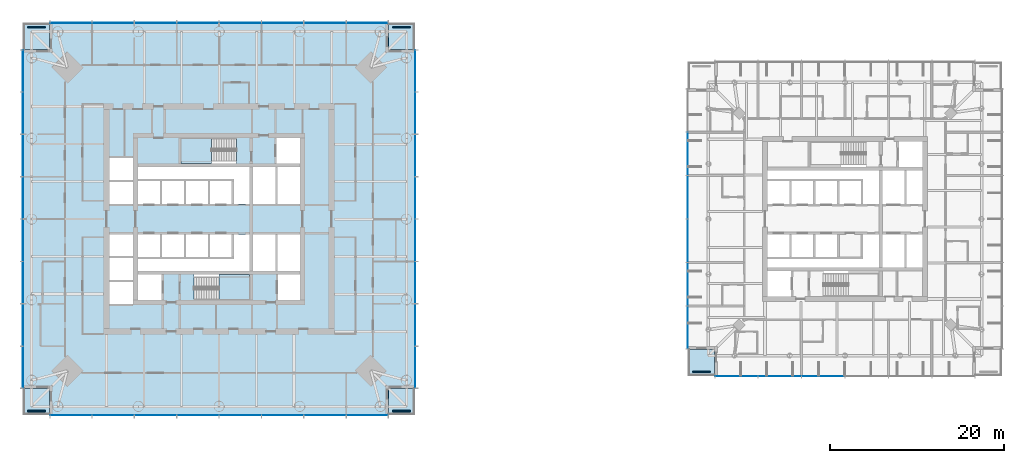
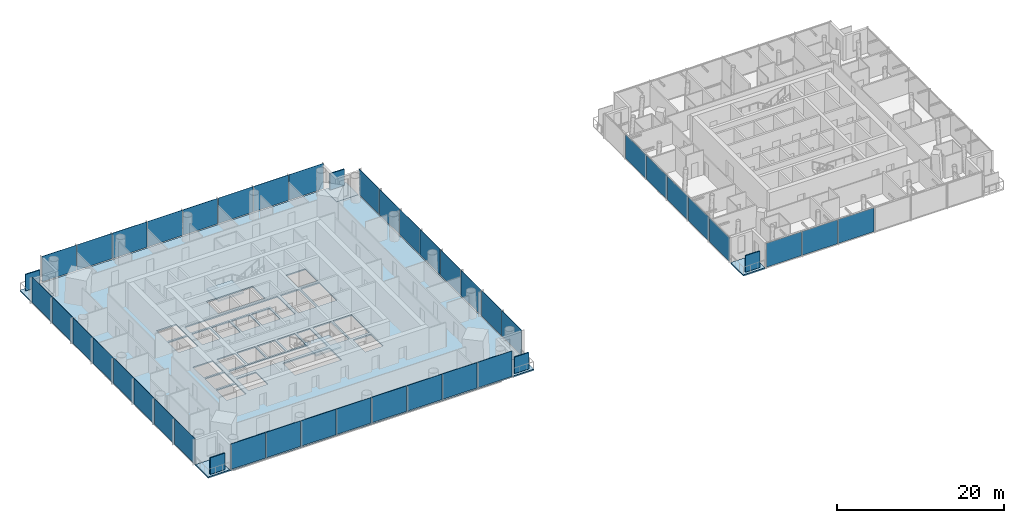
# One storey, part 6 of 18: 45 plates, 8 slabs, 8 elements without a shape of their own.
"""IFC4 building model written with IfcOpenShell, lengths in metres."""

from ifc_helpers import new_model, si_unit, direction, frame, origin, origin_2d, place, context, subcontext, project, spatial, polyline, rectangle, outline, extrude, material, layer, layer_set, type_object, element, aggregate, save


model = new_model("IFC4")

# Units and contexts
model_context = context("Model", 3, precision=1e-05, world=origin(), true_north=direction((0.0, 1.0)))
body_context = subcontext(model_context, "Body", "Model", "MODEL_VIEW")
ifc_project = project(units=[si_unit("LENGTHUNIT", "METRE"), si_unit("AREAUNIT", "SQUARE_METRE"), si_unit("VOLUMEUNIT", "CUBIC_METRE"), si_unit("PLANEANGLEUNIT", "RADIAN"), si_unit("MASSUNIT", "GRAM", prefix="KILO")], contexts=[model_context])

# Site, building, storey
site_placement = place(None, origin())
site = spatial("IfcSite", under=ifc_project, at=site_placement, CompositionType="ELEMENT")
building_placement = place(site_placement, origin())
building = spatial("IfcBuilding", under=site, at=building_placement, Name="Ostroluk Exchange", CompositionType="ELEMENT")
storey_placement = place(building_placement, frame((0.0, 0.0, 97.0)))
storey = spatial("IfcBuildingStorey", under=building, at=storey_placement, Name="L24", CompositionType="ELEMENT", Elevation=97.0)

# Curtain wall, plates
ifc_material_1 = material(Name="Laminated clear glass", Category="glass")
curtain_wall_type_1 = type_object("IfcCurtainWallType", Name="Hotel guest floor facade", PredefinedType="USERDEFINED", material=ifc_material_1)
curtain_wall_1_placement = place(storey_placement, origin())
curtain_wall_1 = element("IfcCurtainWall", 1, at=curtain_wall_1_placement, inside=storey, type_object=curtain_wall_type_1, Name="Hotel tower south facade L24", ObjectType="UNITISED CURTAIN WALL", PredefinedType="USERDEFINED")
ifc_material_2 = material(Name="Laminated clear glass", Category="glass")
ifc_layer_1 = layer(ifc_material_2, 0.0400390625)
ifc_layer_set_1 = layer_set([ifc_layer_1], Name="Acoustic laminated glazing 40")
plate_type_1 = type_object("IfcPlateType", Name="Acoustic laminated glazing 40", PredefinedType="CURTAIN_PANEL", material=ifc_layer_set_1)
plate_1_placement = place(storey_placement, frame((104.52001953125, 27.925048828125, 0.080078125), z_axis=(0.0, 0.0, 1.0), x_axis=(1.0, 0.0, 0.0)))
plate_1 = element("IfcPlate", 2, at=plate_1_placement, type_object=plate_type_1, Name="CW-H1 panel 1.1", PredefinedType="CURTAIN_PANEL", context=body_context, shape_type="SweptSolid", body=[
    extrude(rectangle(XDim=4.8798828125, YDim=0.0400390625, at=origin_2d()), origin(), (0.0, 0.0, 1.0), 3.489990234375),
])
plate_2_placement = place(storey_placement, frame((109.5, 27.925048828125, 0.080078125), z_axis=(0.0, 0.0, 1.0), x_axis=(1.0, 0.0, 0.0)))
plate_2 = element("IfcPlate", 3, at=plate_2_placement, type_object=plate_type_1, Name="CW-H1 panel 2.1", PredefinedType="CURTAIN_PANEL", context=body_context, shape_type="SweptSolid", body=[
    extrude(rectangle(XDim=4.919921875, YDim=0.0400390625, at=origin_2d()), origin(), (0.0, 0.0, 1.0), 3.489990234375),
])
plate_3_placement = place(storey_placement, frame((114.5, 27.925048828125, 0.080078125), z_axis=(0.0, 0.0, 1.0), x_axis=(1.0, 0.0, 0.0)))
plate_3 = element("IfcPlate", 4, at=plate_3_placement, type_object=plate_type_1, Name="CW-H1 panel 3.1", PredefinedType="CURTAIN_PANEL", context=body_context, shape_type="SweptSolid", body=[
    extrude(rectangle(XDim=4.919921875, YDim=0.0400390625, at=origin_2d()), origin(), (0.0, 0.0, 1.0), 3.489990234375),
])
aggregate(curtain_wall_1, [plate_1, plate_2, plate_3])

curtain_wall_2_placement = place(storey_placement, origin())
curtain_wall_2 = element("IfcCurtainWall", 5, at=curtain_wall_2_placement, inside=storey, type_object=curtain_wall_type_1, Name="Hotel tower west facade L24", ObjectType="UNITISED CURTAIN WALL", PredefinedType="USERDEFINED")
plate_4_placement = place(storey_placement, frame((98.925048828125, 53.5, 0.080078125), z_axis=(0.0, 0.0, 1.0), x_axis=(0.0, -1.0, 0.0)))
plate_4 = element("IfcPlate", 6, at=plate_4_placement, type_object=plate_type_1, Name="CW-H1 panel 2.1", PredefinedType="CURTAIN_PANEL", context=body_context, shape_type="SweptSolid", body=[
    extrude(rectangle(XDim=4.919921875, YDim=0.0400390625, at=origin_2d()), origin(), (0.0, 0.0, 1.0), 3.489990234375),
])
plate_5_placement = place(storey_placement, frame((98.925048828125, 48.5, 0.080078125), z_axis=(0.0, 0.0, 1.0), x_axis=(0.0, -1.0, 0.0)))
plate_5 = element("IfcPlate", 7, at=plate_5_placement, type_object=plate_type_1, Name="CW-H1 panel 3.1", PredefinedType="CURTAIN_PANEL", context=body_context, shape_type="SweptSolid", body=[
    extrude(rectangle(XDim=4.919921875, YDim=0.0400390625, at=origin_2d()), origin(), (0.0, 0.0, 1.0), 3.489990234375),
])
plate_6_placement = place(storey_placement, frame((98.925048828125, 43.5, 0.080078125), z_axis=(0.0, 0.0, 1.0), x_axis=(0.0, -1.0, 0.0)))
plate_6 = element("IfcPlate", 8, at=plate_6_placement, type_object=plate_type_1, Name="CW-H1 panel 4.1", PredefinedType="CURTAIN_PANEL", context=body_context, shape_type="SweptSolid", body=[
    extrude(rectangle(XDim=4.919921875, YDim=0.0400390625, at=origin_2d()), origin(), (0.0, 0.0, 1.0), 3.489990234375),
])
plate_7_placement = place(storey_placement, frame((98.925048828125, 38.5, 0.080078125), z_axis=(0.0, 0.0, 1.0), x_axis=(0.0, -1.0, 0.0)))
plate_7 = element("IfcPlate", 9, at=plate_7_placement, type_object=plate_type_1, Name="CW-H1 panel 5.1", PredefinedType="CURTAIN_PANEL", context=body_context, shape_type="SweptSolid", body=[
    extrude(rectangle(XDim=4.919921875, YDim=0.0400390625, at=origin_2d()), origin(), (0.0, 0.0, 1.0), 3.489990234375),
])
plate_8_placement = place(storey_placement, frame((98.925048828125, 33.52001953125, 0.080078125), z_axis=(0.0, 0.0, 1.0), x_axis=(0.0, -1.0, 0.0)))
plate_8 = element("IfcPlate", 10, at=plate_8_placement, type_object=plate_type_1, Name="CW-H1 panel 6.1", PredefinedType="CURTAIN_PANEL", context=body_context, shape_type="SweptSolid", body=[
    extrude(rectangle(XDim=4.8798828125, YDim=0.0400390625, at=origin_2d()), origin(), (0.0, 0.0, 1.0), 3.489990234375),
])
aggregate(curtain_wall_2, [plate_4, plate_5, plate_6, plate_7, plate_8])

# Slabs
ifc_material_3 = material(Name="Concrete C35/45", Category="concrete")
ifc_layer_2 = layer(ifc_material_3, 0.179931640625)
ifc_layer_set_2 = layer_set([ifc_layer_2], Name="Balcony slab 180")
slab_type_1 = type_object("IfcSlabType", Name="Balcony slab 180", PredefinedType="USERDEFINED", material=ifc_layer_set_2)
slab_1_placement = place(storey_placement, frame((0.0, 0.0, -0.179931640625)))
element("IfcSlab", 11, at=slab_1_placement, inside=storey, type_object=slab_type_1, Name="Office tower SE corner balcony L24", ObjectType="BALCONY", PredefinedType="USERDEFINED", context=body_context, shape_type="SweptSolid", body=[
    extrude(outline(polyline([(64.5, 23.5), (67.5, 23.5), (67.5, 26.5), (64.5, 26.5), (64.5, 23.5)])), origin(), (0.0, 0.0, 1.0), 0.179931640625),
])
slab_2_placement = place(storey_placement, frame((0.0, 0.0, -0.179931640625)))
element("IfcSlab", 12, at=slab_2_placement, inside=storey, type_object=slab_type_1, Name="Office tower NE corner balcony L24", ObjectType="BALCONY", PredefinedType="USERDEFINED", context=body_context, shape_type="SweptSolid", body=[
    extrude(outline(polyline([(64.5, 65.5), (67.5, 65.5), (67.5, 68.5), (64.5, 68.5), (64.5, 65.5)])), origin(), (0.0, 0.0, 1.0), 0.179931640625),
])
slab_3_placement = place(storey_placement, frame((0.0, 0.0, -0.179931640625)))
element("IfcSlab", 13, at=slab_3_placement, inside=storey, type_object=slab_type_1, Name="Office tower NW corner balcony L24", ObjectType="BALCONY", PredefinedType="USERDEFINED", context=body_context, shape_type="SweptSolid", body=[
    extrude(outline(polyline([(22.5, 65.5), (25.5, 65.5), (25.5, 68.5), (22.5, 68.5), (22.5, 65.5)])), origin(), (0.0, 0.0, 1.0), 0.179931640625),
])
slab_4_placement = place(storey_placement, frame((0.0, 0.0, -0.179931640625)))
element("IfcSlab", 14, at=slab_4_placement, inside=storey, type_object=slab_type_1, Name="Office tower SW corner balcony L24", ObjectType="BALCONY", PredefinedType="USERDEFINED", context=body_context, shape_type="SweptSolid", body=[
    extrude(outline(polyline([(22.5, 23.5), (25.5, 23.5), (25.5, 26.5), (22.5, 26.5), (22.5, 23.5)])), origin(), (0.0, 0.0, 1.0), 0.179931640625),
])
ifc_material_4 = material(Name="Concrete C35/45", Category="concrete")
ifc_layer_3 = layer(ifc_material_4, 0.199951171875)
ifc_layer_set_3 = layer_set([ifc_layer_3], Name="Balcony slab 200")
slab_type_2 = type_object("IfcSlabType", Name="Balcony slab 200", PredefinedType="USERDEFINED", material=ifc_layer_set_3)
slab_5_placement = place(storey_placement, frame((0.0, 0.0, -0.199951171875)))
element("IfcSlab", 15, at=slab_5_placement, inside=storey, type_object=slab_type_2, Name="Hotel tower SW corner balcony L24", ObjectType="BALCONY", PredefinedType="USERDEFINED", context=body_context, shape_type="SweptSolid", body=[
    extrude(outline(polyline([(99.0, 28.0), (102.0, 28.0), (102.0, 31.0), (99.0, 31.0), (99.0, 28.0)])), origin(), (0.0, 0.0, 1.0), 0.199951171875),
])

# Plates
ifc_material_5 = material(Name="Steel S355 trellis with planting", Category="steel")
ifc_layer_4 = layer(ifc_material_5, 0.14990234375)
ifc_layer_set_4 = layer_set([ifc_layer_4], Name="Planted screen 150")
plate_type_2 = type_object("IfcPlateType", Name="Planted screen 150", PredefinedType="USERDEFINED", material=ifc_layer_set_4)
for number, where, z_axis, x_axis, name in (
    (16, (66.0, 23.925048828125, 0.0), (0.0, 0.0, 1.0), (1.0, 0.0, 0.0), "Office tower SE planted screen L24"),
    (17, (66.0, 68.074951171875, 0.0), (0.0, 0.0, 1.0), (1.0, 0.0, 0.0), "Office tower NE planted screen L24"),
    (18, (24.0, 68.074951171875, 0.0), (0.0, 0.0, 1.0), (1.0, 0.0, 0.0), "Office tower NW planted screen L24"),
    (19, (24.0, 23.925048828125, 0.0), (0.0, 0.0, 1.0), (1.0, 0.0, 0.0), "Office tower SW planted screen L24"),
    (20, (100.5, 28.425048828125, 0.0), (0.0, 0.0, 1.0), (1.0, 0.0, 0.0), "Hotel tower SW planted screen L24"),
):
    element("IfcPlate", number, at=place(storey_placement, frame(where, z_axis=z_axis, x_axis=x_axis)), inside=storey, type_object=plate_type_2, Name=name, ObjectType="PLANTED SCREEN", PredefinedType="USERDEFINED", context=body_context, shape_type="SweptSolid", body=[
        extrude(rectangle(XDim=2.0, YDim=0.14990234375, at=origin_2d()), origin(), (0.0, 0.0, 1.0), 2.39990234375),
    ])

# Stair, slab
ifc_material_6 = material(Name="Concrete C30/37", Category="concrete")
stair_type = type_object("IfcStairType", Name="Exit stair half turn 3800", PredefinedType="HALF_TURN_STAIR", material=ifc_material_6)
stair_1_placement = place(storey_placement, origin())
stair_1 = element("IfcStair", 21, at=stair_1_placement, inside=storey, type_object=stair_type, Name="Stair T1-S1 L24", PredefinedType="HALF_TURN_STAIR")
ifc_material_7 = material(Name="Concrete C30/37", Category="concrete")
ifc_layer_5 = layer(ifc_material_7, 0.199951171875)
ifc_layer_set_5 = layer_set([ifc_layer_5], Name="Stair landing 200")
slab_type_3 = type_object("IfcSlabType", Name="Stair landing 200", PredefinedType="LANDING", material=ifc_layer_set_5)
slab_6_placement = place(storey_placement, frame((0.0, 0.0, 1.699951171875)))
slab_6 = element("IfcSlab", 22, at=slab_6_placement, type_object=slab_type_3, Name="T1-S1 landing 1", PredefinedType="LANDING", context=body_context, shape_type="SweptSolid", body=[
    extrude(outline(polyline([(45.0, 36.699951171875), (45.0, 39.60009765625), (48.530029296875, 39.60009765625), (48.530029296875, 36.699951171875), (45.0, 36.699951171875)])), origin(), (0.0, 0.0, 1.0), 0.199951171875),
])
aggregate(stair_1, [slab_6])

stair_2_placement = place(storey_placement, origin())
stair_2 = element("IfcStair", 23, at=stair_2_placement, inside=storey, type_object=stair_type, Name="Stair T1-S2 L24", PredefinedType="HALF_TURN_STAIR")
slab_7_placement = place(storey_placement, frame((0.0, 0.0, 1.699951171875)))
slab_7 = element("IfcSlab", 24, at=slab_7_placement, type_object=slab_type_3, Name="T1-S2 landing 1", PredefinedType="LANDING", context=body_context, shape_type="SweptSolid", body=[
    extrude(outline(polyline([(44.1298828125, 52.39990234375), (44.1298828125, 55.300048828125), (40.60009765625, 55.300048828125), (40.60009765625, 52.39990234375), (44.1298828125, 52.39990234375)])), origin(), (0.0, 0.0, 1.0), 0.199951171875),
])
aggregate(stair_2, [slab_7])

# Slab
ifc_material_8 = material(Name="Concrete C35/45", Category="concrete")
ifc_layer_6 = layer(ifc_material_8, 0.179931640625)
ifc_layer_set_6 = layer_set([ifc_layer_6], Name="Tower floor slab 180 composite")
slab_type_4 = type_object("IfcSlabType", Name="Tower floor slab 180 composite", PredefinedType="FLOOR", material=ifc_layer_set_6)
slab_8_placement = place(storey_placement, frame((0.0, 0.0, -0.179931640625)))
element("IfcSlab", 25, at=slab_8_placement, inside=storey, type_object=slab_type_4, Name="Office tower floor slab L24", PredefinedType="FLOOR", context=body_context, shape_type="SweptSolid", body=[
    extrude(outline(polyline([(25.5, 23.5), (64.5, 23.5), (64.5, 26.5), (67.5, 26.5), (67.5, 65.5), (64.5, 65.5), (64.5, 68.5), (25.5, 68.5), (25.5, 65.5), (22.5, 65.5), (22.5, 26.5), (25.5, 26.5), (25.5, 23.5)]), holes=[polyline([(35.699951171875, 36.699951171875), (38.39990234375, 36.699951171875), (38.39990234375, 39.60009765625), (35.699951171875, 39.60009765625), (35.699951171875, 36.699951171875)]), polyline([(42.110107421875, 36.699951171875), (48.530029296875, 36.699951171875), (48.530029296875, 39.60009765625), (42.110107421875, 39.60009765625), (42.110107421875, 36.699951171875)]), polyline([(51.800048828125, 36.699951171875), (54.300048828125, 36.699951171875), (54.300048828125, 39.60009765625), (51.800048828125, 39.60009765625), (51.800048828125, 36.699951171875)]), polyline([(40.60009765625, 52.39990234375), (47.02001953125, 52.39990234375), (47.02001953125, 55.300048828125), (40.60009765625, 55.300048828125), (40.60009765625, 52.39990234375)]), polyline([(51.60009765625, 52.39990234375), (54.300048828125, 52.39990234375), (54.300048828125, 55.300048828125), (51.60009765625, 55.300048828125), (51.60009765625, 52.39990234375)]), polyline([(35.699951171875, 47.75), (38.199951171875, 47.75), (38.199951171875, 50.35009765625), (35.699951171875, 50.35009765625), (35.699951171875, 47.75)]), polyline([(38.449951171875, 47.75), (40.949951171875, 47.75), (40.949951171875, 50.35009765625), (38.449951171875, 50.35009765625), (38.449951171875, 47.75)]), polyline([(41.199951171875, 47.75), (43.699951171875, 47.75), (43.699951171875, 50.35009765625), (41.199951171875, 50.35009765625), (41.199951171875, 47.75)]), polyline([(43.949951171875, 47.75), (46.449951171875, 47.75), (46.449951171875, 50.35009765625), (43.949951171875, 50.35009765625), (43.949951171875, 47.75)]), polyline([(35.699951171875, 41.64990234375), (38.199951171875, 41.64990234375), (38.199951171875, 44.25), (35.699951171875, 44.25), (35.699951171875, 41.64990234375)]), polyline([(38.449951171875, 41.64990234375), (40.949951171875, 41.64990234375), (40.949951171875, 44.25), (38.449951171875, 44.25), (38.449951171875, 41.64990234375)]), polyline([(41.199951171875, 41.64990234375), (43.699951171875, 41.64990234375), (43.699951171875, 44.25), (41.199951171875, 44.25), (41.199951171875, 41.64990234375)]), polyline([(43.949951171875, 41.64990234375), (46.449951171875, 41.64990234375), (46.449951171875, 44.25), (43.949951171875, 44.25), (43.949951171875, 41.64990234375)]), polyline([(48.929931640625, 47.75), (51.489990234375, 47.75), (51.489990234375, 52.0), (48.929931640625, 52.0), (48.929931640625, 47.75)]), polyline([(51.739990234375, 47.75), (54.300048828125, 47.75), (54.300048828125, 52.0), (51.739990234375, 52.0), (51.739990234375, 47.75)]), polyline([(48.929931640625, 40.0), (51.489990234375, 40.0), (51.489990234375, 44.25), (48.929931640625, 44.25), (48.929931640625, 40.0)]), polyline([(51.739990234375, 40.0), (54.300048828125, 40.0), (54.300048828125, 44.25), (51.739990234375, 44.25), (51.739990234375, 40.0)]), polyline([(48.530029296875, 52.0), (48.530029296875, 47.75), (46.699951171875, 47.75), (46.699951171875, 50.60009765625), (35.699951171875, 50.60009765625), (35.699951171875, 52.0), (48.530029296875, 52.0)]), polyline([(35.699951171875, 40.0), (35.699951171875, 41.39990234375), (46.699951171875, 41.39990234375), (46.699951171875, 44.25), (48.530029296875, 44.25), (48.530029296875, 40.0), (35.699951171875, 40.0)]), polyline([(32.39990234375, 36.25), (35.10009765625, 36.25), (35.10009765625, 38.75), (32.39990234375, 38.75), (32.39990234375, 36.25)]), polyline([(32.39990234375, 39.0), (35.10009765625, 39.0), (35.10009765625, 41.5), (32.39990234375, 41.5), (32.39990234375, 39.0)]), polyline([(32.39990234375, 41.75), (35.10009765625, 41.75), (35.10009765625, 44.25), (32.39990234375, 44.25), (32.39990234375, 41.75)]), polyline([(32.39990234375, 47.75), (35.10009765625, 47.75), (35.10009765625, 50.25), (32.39990234375, 50.25), (32.39990234375, 47.75)]), polyline([(32.39990234375, 50.5), (35.10009765625, 50.5), (35.10009765625, 53.0), (32.39990234375, 53.0), (32.39990234375, 50.5)])]), origin(), (0.0, 0.0, 1.0), 0.179931640625),
])

# Curtain wall, plates
ifc_material_9 = material(Name="Laminated clear glass", Category="glass")
curtain_wall_type_2 = type_object("IfcCurtainWallType", Name="Office tower facade", PredefinedType="USERDEFINED", material=ifc_material_9)
curtain_wall_3_placement = place(storey_placement, origin())
curtain_wall_3 = element("IfcCurtainWall", 26, at=curtain_wall_3_placement, inside=storey, type_object=curtain_wall_type_2, Name="Office tower south facade L24", ObjectType="UNITISED CURTAIN WALL", PredefinedType="USERDEFINED")
ifc_material_10 = material(Name="Laminated clear glass", Category="glass")
ifc_layer_7 = layer(ifc_material_10, 0.0439453125)
ifc_layer_set_7 = layer_set([ifc_layer_7], Name="Triple laminated clear glazing 44")
plate_type_3 = type_object("IfcPlateType", Name="Triple laminated clear glazing 44", PredefinedType="CURTAIN_PANEL", material=ifc_layer_set_7)
plate_9_placement = place(storey_placement, frame((27.95751953125, 23.425048828125, 0.080078125), z_axis=(0.0, 0.0, 1.0), x_axis=(1.0, 0.0, 0.0)))
plate_9 = element("IfcPlate", 27, at=plate_9_placement, type_object=plate_type_3, Name="CW-O1 panel 1.1", PredefinedType="CURTAIN_PANEL", context=body_context, shape_type="SweptSolid", body=[
    extrude(rectangle(XDim=4.7548828125, YDim=0.0439453125, at=origin_2d()), origin(), (0.0, 0.0, 1.0), 3.719970703125),
])
plate_10_placement = place(storey_placement, frame((32.8125, 23.425048828125, 0.080078125), z_axis=(0.0, 0.0, 1.0), x_axis=(1.0, 0.0, 0.0)))
plate_10 = element("IfcPlate", 28, at=plate_10_placement, type_object=plate_type_3, Name="CW-O1 panel 2.1", PredefinedType="CURTAIN_PANEL", context=body_context, shape_type="SweptSolid", body=[
    extrude(rectangle(XDim=4.794921875, YDim=0.0439453125, at=origin_2d()), origin(), (0.0, 0.0, 1.0), 3.719970703125),
])
plate_11_placement = place(storey_placement, frame((37.6875, 23.425048828125, 0.080078125), z_axis=(0.0, 0.0, 1.0), x_axis=(1.0, 0.0, 0.0)))
plate_11 = element("IfcPlate", 29, at=plate_11_placement, type_object=plate_type_3, Name="CW-O1 panel 3.1", PredefinedType="CURTAIN_PANEL", context=body_context, shape_type="SweptSolid", body=[
    extrude(rectangle(XDim=4.794921875, YDim=0.0439453125, at=origin_2d()), origin(), (0.0, 0.0, 1.0), 3.719970703125),
])
plate_12_placement = place(storey_placement, frame((42.5625, 23.425048828125, 0.080078125), z_axis=(0.0, 0.0, 1.0), x_axis=(1.0, 0.0, 0.0)))
plate_12 = element("IfcPlate", 30, at=plate_12_placement, type_object=plate_type_3, Name="CW-O1 panel 4.1", PredefinedType="CURTAIN_PANEL", context=body_context, shape_type="SweptSolid", body=[
    extrude(rectangle(XDim=4.794921875, YDim=0.0439453125, at=origin_2d()), origin(), (0.0, 0.0, 1.0), 3.719970703125),
])
plate_13_placement = place(storey_placement, frame((47.4375, 23.425048828125, 0.080078125), z_axis=(0.0, 0.0, 1.0), x_axis=(1.0, 0.0, 0.0)))
plate_13 = element("IfcPlate", 31, at=plate_13_placement, type_object=plate_type_3, Name="CW-O1 panel 5.1", PredefinedType="CURTAIN_PANEL", context=body_context, shape_type="SweptSolid", body=[
    extrude(rectangle(XDim=4.794921875, YDim=0.0439453125, at=origin_2d()), origin(), (0.0, 0.0, 1.0), 3.719970703125),
])
plate_14_placement = place(storey_placement, frame((52.3125, 23.425048828125, 0.080078125), z_axis=(0.0, 0.0, 1.0), x_axis=(1.0, 0.0, 0.0)))
plate_14 = element("IfcPlate", 32, at=plate_14_placement, type_object=plate_type_3, Name="CW-O1 panel 6.1", PredefinedType="CURTAIN_PANEL", context=body_context, shape_type="SweptSolid", body=[
    extrude(rectangle(XDim=4.794921875, YDim=0.0439453125, at=origin_2d()), origin(), (0.0, 0.0, 1.0), 3.719970703125),
])
plate_15_placement = place(storey_placement, frame((57.1875, 23.425048828125, 0.080078125), z_axis=(0.0, 0.0, 1.0), x_axis=(1.0, 0.0, 0.0)))
plate_15 = element("IfcPlate", 33, at=plate_15_placement, type_object=plate_type_3, Name="CW-O1 panel 7.1", PredefinedType="CURTAIN_PANEL", context=body_context, shape_type="SweptSolid", body=[
    extrude(rectangle(XDim=4.794921875, YDim=0.0439453125, at=origin_2d()), origin(), (0.0, 0.0, 1.0), 3.719970703125),
])
plate_16_placement = place(storey_placement, frame((62.04248046875, 23.425048828125, 0.080078125), z_axis=(0.0, 0.0, 1.0), x_axis=(1.0, 0.0, 0.0)))
plate_16 = element("IfcPlate", 34, at=plate_16_placement, type_object=plate_type_3, Name="CW-O1 panel 8.1", PredefinedType="CURTAIN_PANEL", context=body_context, shape_type="SweptSolid", body=[
    extrude(rectangle(XDim=4.7548828125, YDim=0.0439453125, at=origin_2d()), origin(), (0.0, 0.0, 1.0), 3.719970703125),
])
aggregate(curtain_wall_3, [plate_9, plate_10, plate_11, plate_12, plate_13, plate_14, plate_15, plate_16])

curtain_wall_4_placement = place(storey_placement, origin())
curtain_wall_4 = element("IfcCurtainWall", 35, at=curtain_wall_4_placement, inside=storey, type_object=curtain_wall_type_2, Name="Office tower east facade L24", ObjectType="UNITISED CURTAIN WALL", PredefinedType="USERDEFINED")
plate_17_placement = place(storey_placement, frame((67.574951171875, 28.95751953125, 0.080078125), z_axis=(0.0, 0.0, 1.0), x_axis=(0.0, 1.0, 0.0)))
plate_17 = element("IfcPlate", 36, at=plate_17_placement, type_object=plate_type_3, Name="CW-O1 panel 1.1", PredefinedType="CURTAIN_PANEL", context=body_context, shape_type="SweptSolid", body=[
    extrude(rectangle(XDim=4.7548828125, YDim=0.0439453125, at=origin_2d()), origin(), (0.0, 0.0, 1.0), 3.719970703125),
])
plate_18_placement = place(storey_placement, frame((67.574951171875, 33.8125, 0.080078125), z_axis=(0.0, 0.0, 1.0), x_axis=(0.0, 1.0, 0.0)))
plate_18 = element("IfcPlate", 37, at=plate_18_placement, type_object=plate_type_3, Name="CW-O1 panel 2.1", PredefinedType="CURTAIN_PANEL", context=body_context, shape_type="SweptSolid", body=[
    extrude(rectangle(XDim=4.794921875, YDim=0.0439453125, at=origin_2d()), origin(), (0.0, 0.0, 1.0), 3.719970703125),
])
plate_19_placement = place(storey_placement, frame((67.574951171875, 38.6875, 0.080078125), z_axis=(0.0, 0.0, 1.0), x_axis=(0.0, 1.0, 0.0)))
plate_19 = element("IfcPlate", 38, at=plate_19_placement, type_object=plate_type_3, Name="CW-O1 panel 3.1", PredefinedType="CURTAIN_PANEL", context=body_context, shape_type="SweptSolid", body=[
    extrude(rectangle(XDim=4.794921875, YDim=0.0439453125, at=origin_2d()), origin(), (0.0, 0.0, 1.0), 3.719970703125),
])
plate_20_placement = place(storey_placement, frame((67.574951171875, 43.5625, 0.080078125), z_axis=(0.0, 0.0, 1.0), x_axis=(0.0, 1.0, 0.0)))
plate_20 = element("IfcPlate", 39, at=plate_20_placement, type_object=plate_type_3, Name="CW-O1 panel 4.1", PredefinedType="CURTAIN_PANEL", context=body_context, shape_type="SweptSolid", body=[
    extrude(rectangle(XDim=4.794921875, YDim=0.0439453125, at=origin_2d()), origin(), (0.0, 0.0, 1.0), 3.719970703125),
])
plate_21_placement = place(storey_placement, frame((67.574951171875, 48.4375, 0.080078125), z_axis=(0.0, 0.0, 1.0), x_axis=(0.0, 1.0, 0.0)))
plate_21 = element("IfcPlate", 40, at=plate_21_placement, type_object=plate_type_3, Name="CW-O1 panel 5.1", PredefinedType="CURTAIN_PANEL", context=body_context, shape_type="SweptSolid", body=[
    extrude(rectangle(XDim=4.794921875, YDim=0.0439453125, at=origin_2d()), origin(), (0.0, 0.0, 1.0), 3.719970703125),
])
plate_22_placement = place(storey_placement, frame((67.574951171875, 53.3125, 0.080078125), z_axis=(0.0, 0.0, 1.0), x_axis=(0.0, 1.0, 0.0)))
plate_22 = element("IfcPlate", 41, at=plate_22_placement, type_object=plate_type_3, Name="CW-O1 panel 6.1", PredefinedType="CURTAIN_PANEL", context=body_context, shape_type="SweptSolid", body=[
    extrude(rectangle(XDim=4.794921875, YDim=0.0439453125, at=origin_2d()), origin(), (0.0, 0.0, 1.0), 3.719970703125),
])
plate_23_placement = place(storey_placement, frame((67.574951171875, 58.1875, 0.080078125), z_axis=(0.0, 0.0, 1.0), x_axis=(0.0, 1.0, 0.0)))
plate_23 = element("IfcPlate", 42, at=plate_23_placement, type_object=plate_type_3, Name="CW-O1 panel 7.1", PredefinedType="CURTAIN_PANEL", context=body_context, shape_type="SweptSolid", body=[
    extrude(rectangle(XDim=4.794921875, YDim=0.0439453125, at=origin_2d()), origin(), (0.0, 0.0, 1.0), 3.719970703125),
])
plate_24_placement = place(storey_placement, frame((67.574951171875, 63.04248046875, 0.080078125), z_axis=(0.0, 0.0, 1.0), x_axis=(0.0, 1.0, 0.0)))
plate_24 = element("IfcPlate", 43, at=plate_24_placement, type_object=plate_type_3, Name="CW-O1 panel 8.1", PredefinedType="CURTAIN_PANEL", context=body_context, shape_type="SweptSolid", body=[
    extrude(rectangle(XDim=4.7548828125, YDim=0.0439453125, at=origin_2d()), origin(), (0.0, 0.0, 1.0), 3.719970703125),
])
aggregate(curtain_wall_4, [plate_17, plate_18, plate_19, plate_20, plate_21, plate_22, plate_23, plate_24])

curtain_wall_5_placement = place(storey_placement, origin())
curtain_wall_5 = element("IfcCurtainWall", 44, at=curtain_wall_5_placement, inside=storey, type_object=curtain_wall_type_2, Name="Office tower north facade L24", ObjectType="UNITISED CURTAIN WALL", PredefinedType="USERDEFINED")
plate_25_placement = place(storey_placement, frame((62.04248046875, 68.574951171875, 0.080078125), z_axis=(0.0, 0.0, 1.0), x_axis=(-1.0, 0.0, 0.0)))
plate_25 = element("IfcPlate", 45, at=plate_25_placement, type_object=plate_type_3, Name="CW-O1 panel 1.1", PredefinedType="CURTAIN_PANEL", context=body_context, shape_type="SweptSolid", body=[
    extrude(rectangle(XDim=4.7548828125, YDim=0.0439453125, at=origin_2d()), origin(), (0.0, 0.0, 1.0), 3.719970703125),
])
plate_26_placement = place(storey_placement, frame((57.1875, 68.574951171875, 0.080078125), z_axis=(0.0, 0.0, 1.0), x_axis=(-1.0, 0.0, 0.0)))
plate_26 = element("IfcPlate", 46, at=plate_26_placement, type_object=plate_type_3, Name="CW-O1 panel 2.1", PredefinedType="CURTAIN_PANEL", context=body_context, shape_type="SweptSolid", body=[
    extrude(rectangle(XDim=4.794921875, YDim=0.0439453125, at=origin_2d()), origin(), (0.0, 0.0, 1.0), 3.719970703125),
])
plate_27_placement = place(storey_placement, frame((52.3125, 68.574951171875, 0.080078125), z_axis=(0.0, 0.0, 1.0), x_axis=(-1.0, 0.0, 0.0)))
plate_27 = element("IfcPlate", 47, at=plate_27_placement, type_object=plate_type_3, Name="CW-O1 panel 3.1", PredefinedType="CURTAIN_PANEL", context=body_context, shape_type="SweptSolid", body=[
    extrude(rectangle(XDim=4.794921875, YDim=0.0439453125, at=origin_2d()), origin(), (0.0, 0.0, 1.0), 3.719970703125),
])
plate_28_placement = place(storey_placement, frame((47.4375, 68.574951171875, 0.080078125), z_axis=(0.0, 0.0, 1.0), x_axis=(-1.0, 0.0, 0.0)))
plate_28 = element("IfcPlate", 48, at=plate_28_placement, type_object=plate_type_3, Name="CW-O1 panel 4.1", PredefinedType="CURTAIN_PANEL", context=body_context, shape_type="SweptSolid", body=[
    extrude(rectangle(XDim=4.794921875, YDim=0.0439453125, at=origin_2d()), origin(), (0.0, 0.0, 1.0), 3.719970703125),
])
plate_29_placement = place(storey_placement, frame((42.5625, 68.574951171875, 0.080078125), z_axis=(0.0, 0.0, 1.0), x_axis=(-1.0, 0.0, 0.0)))
plate_29 = element("IfcPlate", 49, at=plate_29_placement, type_object=plate_type_3, Name="CW-O1 panel 5.1", PredefinedType="CURTAIN_PANEL", context=body_context, shape_type="SweptSolid", body=[
    extrude(rectangle(XDim=4.794921875, YDim=0.0439453125, at=origin_2d()), origin(), (0.0, 0.0, 1.0), 3.719970703125),
])
plate_30_placement = place(storey_placement, frame((37.6875, 68.574951171875, 0.080078125), z_axis=(0.0, 0.0, 1.0), x_axis=(-1.0, 0.0, 0.0)))
plate_30 = element("IfcPlate", 50, at=plate_30_placement, type_object=plate_type_3, Name="CW-O1 panel 6.1", PredefinedType="CURTAIN_PANEL", context=body_context, shape_type="SweptSolid", body=[
    extrude(rectangle(XDim=4.794921875, YDim=0.0439453125, at=origin_2d()), origin(), (0.0, 0.0, 1.0), 3.719970703125),
])
plate_31_placement = place(storey_placement, frame((32.8125, 68.574951171875, 0.080078125), z_axis=(0.0, 0.0, 1.0), x_axis=(-1.0, 0.0, 0.0)))
plate_31 = element("IfcPlate", 51, at=plate_31_placement, type_object=plate_type_3, Name="CW-O1 panel 7.1", PredefinedType="CURTAIN_PANEL", context=body_context, shape_type="SweptSolid", body=[
    extrude(rectangle(XDim=4.794921875, YDim=0.0439453125, at=origin_2d()), origin(), (0.0, 0.0, 1.0), 3.719970703125),
])
plate_32_placement = place(storey_placement, frame((27.95751953125, 68.574951171875, 0.080078125), z_axis=(0.0, 0.0, 1.0), x_axis=(-1.0, 0.0, 0.0)))
plate_32 = element("IfcPlate", 52, at=plate_32_placement, type_object=plate_type_3, Name="CW-O1 panel 8.1", PredefinedType="CURTAIN_PANEL", context=body_context, shape_type="SweptSolid", body=[
    extrude(rectangle(XDim=4.7548828125, YDim=0.0439453125, at=origin_2d()), origin(), (0.0, 0.0, 1.0), 3.719970703125),
])
aggregate(curtain_wall_5, [plate_25, plate_26, plate_27, plate_28, plate_29, plate_30, plate_31, plate_32])

curtain_wall_6_placement = place(storey_placement, origin())
curtain_wall_6 = element("IfcCurtainWall", 53, at=curtain_wall_6_placement, inside=storey, type_object=curtain_wall_type_2, Name="Office tower west facade L24", ObjectType="UNITISED CURTAIN WALL", PredefinedType="USERDEFINED")
plate_33_placement = place(storey_placement, frame((22.425048828125, 63.04248046875, 0.080078125), z_axis=(0.0, 0.0, 1.0), x_axis=(0.0, -1.0, 0.0)))
plate_33 = element("IfcPlate", 54, at=plate_33_placement, type_object=plate_type_3, Name="CW-O1 panel 1.1", PredefinedType="CURTAIN_PANEL", context=body_context, shape_type="SweptSolid", body=[
    extrude(rectangle(XDim=4.7548828125, YDim=0.0439453125, at=origin_2d()), origin(), (0.0, 0.0, 1.0), 3.719970703125),
])
plate_34_placement = place(storey_placement, frame((22.425048828125, 58.1875, 0.080078125), z_axis=(0.0, 0.0, 1.0), x_axis=(0.0, -1.0, 0.0)))
plate_34 = element("IfcPlate", 55, at=plate_34_placement, type_object=plate_type_3, Name="CW-O1 panel 2.1", PredefinedType="CURTAIN_PANEL", context=body_context, shape_type="SweptSolid", body=[
    extrude(rectangle(XDim=4.794921875, YDim=0.0439453125, at=origin_2d()), origin(), (0.0, 0.0, 1.0), 3.719970703125),
])
plate_35_placement = place(storey_placement, frame((22.425048828125, 53.3125, 0.080078125), z_axis=(0.0, 0.0, 1.0), x_axis=(0.0, -1.0, 0.0)))
plate_35 = element("IfcPlate", 56, at=plate_35_placement, type_object=plate_type_3, Name="CW-O1 panel 3.1", PredefinedType="CURTAIN_PANEL", context=body_context, shape_type="SweptSolid", body=[
    extrude(rectangle(XDim=4.794921875, YDim=0.0439453125, at=origin_2d()), origin(), (0.0, 0.0, 1.0), 3.719970703125),
])
plate_36_placement = place(storey_placement, frame((22.425048828125, 48.4375, 0.080078125), z_axis=(0.0, 0.0, 1.0), x_axis=(0.0, -1.0, 0.0)))
plate_36 = element("IfcPlate", 57, at=plate_36_placement, type_object=plate_type_3, Name="CW-O1 panel 4.1", PredefinedType="CURTAIN_PANEL", context=body_context, shape_type="SweptSolid", body=[
    extrude(rectangle(XDim=4.794921875, YDim=0.0439453125, at=origin_2d()), origin(), (0.0, 0.0, 1.0), 3.719970703125),
])
plate_37_placement = place(storey_placement, frame((22.425048828125, 43.5625, 0.080078125), z_axis=(0.0, 0.0, 1.0), x_axis=(0.0, -1.0, 0.0)))
plate_37 = element("IfcPlate", 58, at=plate_37_placement, type_object=plate_type_3, Name="CW-O1 panel 5.1", PredefinedType="CURTAIN_PANEL", context=body_context, shape_type="SweptSolid", body=[
    extrude(rectangle(XDim=4.794921875, YDim=0.0439453125, at=origin_2d()), origin(), (0.0, 0.0, 1.0), 3.719970703125),
])
plate_38_placement = place(storey_placement, frame((22.425048828125, 38.6875, 0.080078125), z_axis=(0.0, 0.0, 1.0), x_axis=(0.0, -1.0, 0.0)))
plate_38 = element("IfcPlate", 59, at=plate_38_placement, type_object=plate_type_3, Name="CW-O1 panel 6.1", PredefinedType="CURTAIN_PANEL", context=body_context, shape_type="SweptSolid", body=[
    extrude(rectangle(XDim=4.794921875, YDim=0.0439453125, at=origin_2d()), origin(), (0.0, 0.0, 1.0), 3.719970703125),
])
plate_39_placement = place(storey_placement, frame((22.425048828125, 33.8125, 0.080078125), z_axis=(0.0, 0.0, 1.0), x_axis=(0.0, -1.0, 0.0)))
plate_39 = element("IfcPlate", 60, at=plate_39_placement, type_object=plate_type_3, Name="CW-O1 panel 7.1", PredefinedType="CURTAIN_PANEL", context=body_context, shape_type="SweptSolid", body=[
    extrude(rectangle(XDim=4.794921875, YDim=0.0439453125, at=origin_2d()), origin(), (0.0, 0.0, 1.0), 3.719970703125),
])
plate_40_placement = place(storey_placement, frame((22.425048828125, 28.95751953125, 0.080078125), z_axis=(0.0, 0.0, 1.0), x_axis=(0.0, -1.0, 0.0)))
plate_40 = element("IfcPlate", 61, at=plate_40_placement, type_object=plate_type_3, Name="CW-O1 panel 8.1", PredefinedType="CURTAIN_PANEL", context=body_context, shape_type="SweptSolid", body=[
    extrude(rectangle(XDim=4.7548828125, YDim=0.0439453125, at=origin_2d()), origin(), (0.0, 0.0, 1.0), 3.719970703125),
])
aggregate(curtain_wall_6, [plate_33, plate_34, plate_35, plate_36, plate_37, plate_38, plate_39, plate_40])

save(model, "model.ifc")
